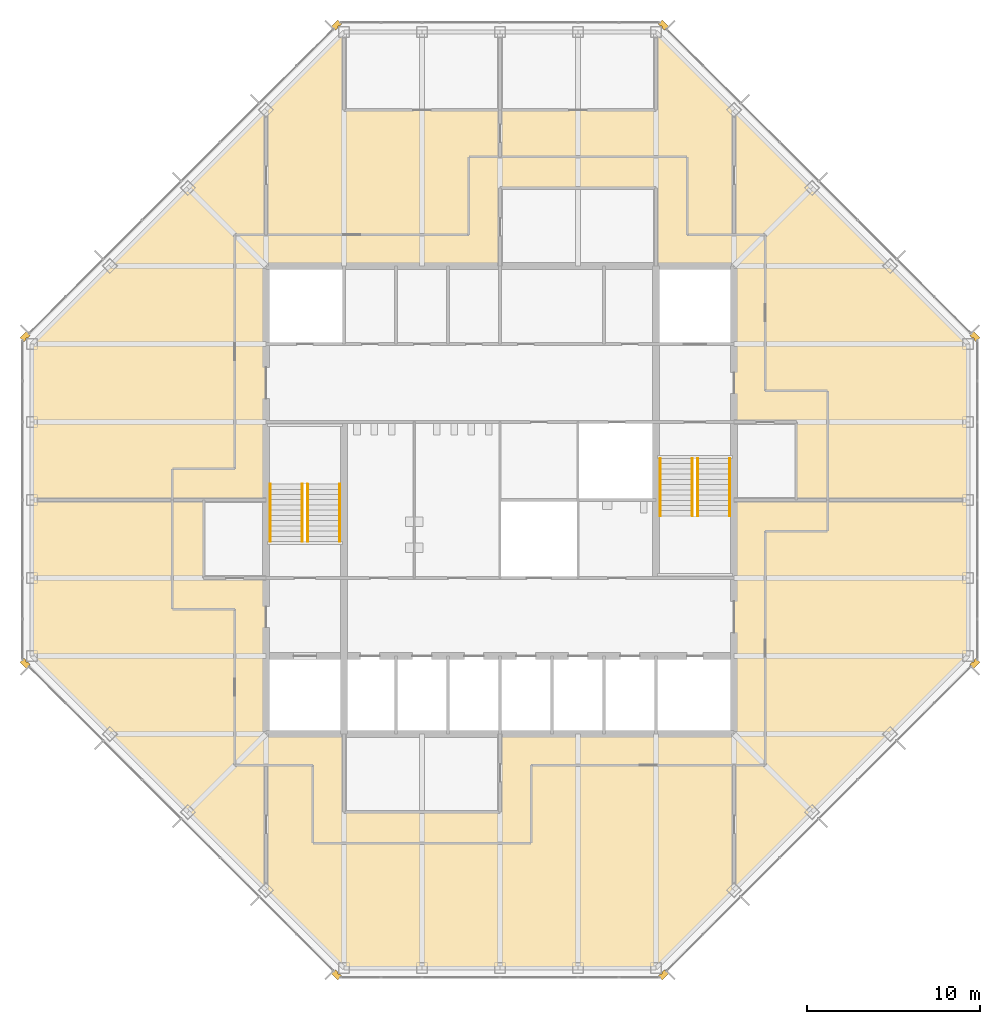
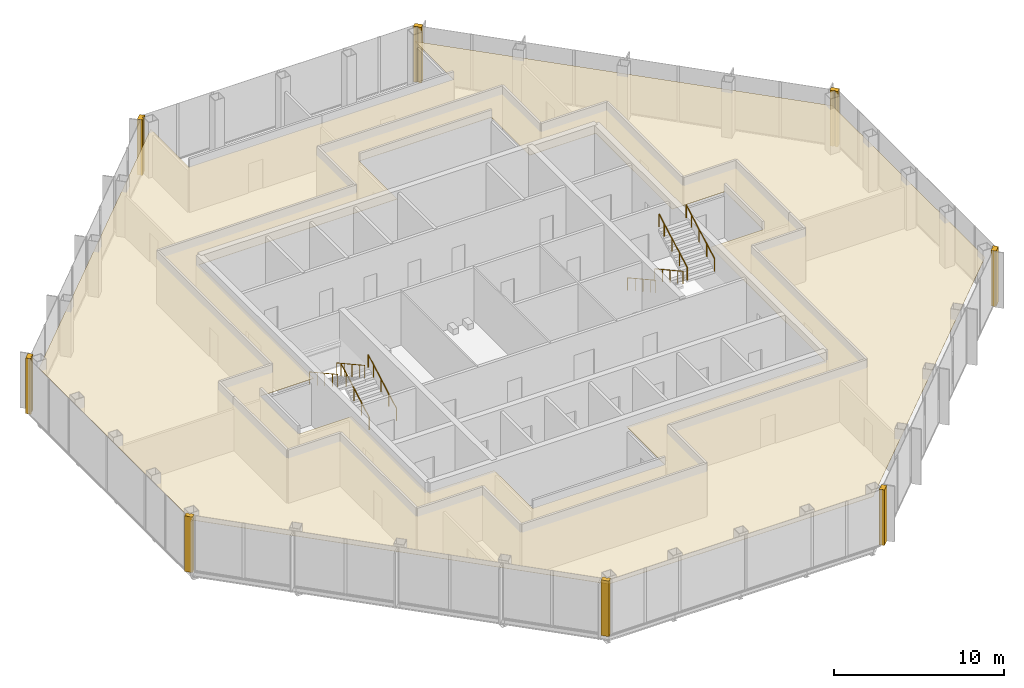
# One storey, part 12 of 13: 9 coverings, 8 railings.
"""IFC4 building model written with IfcOpenShell, lengths in metres."""

from ifc_helpers import new_model, si_unit, direction, frame, origin, origin_2d, place, context, subcontext, project, spatial, polyline, circle, outline, extrude, material, layer, layer_set, type_object, element, save


model = new_model("IFC4")

# Units and contexts
model_context = context("Model", 3, precision=1e-05, world=origin(), true_north=direction((0.0, 1.0)))
body_context = subcontext(model_context, "Body", "Model", "MODEL_VIEW")
ifc_project = project(units=[si_unit("LENGTHUNIT", "METRE"), si_unit("AREAUNIT", "SQUARE_METRE"), si_unit("VOLUMEUNIT", "CUBIC_METRE"), si_unit("PLANEANGLEUNIT", "RADIAN"), si_unit("MASSUNIT", "GRAM", prefix="KILO")], contexts=[model_context])

# Site, building, storey
site_placement = place(None, origin())
site = spatial("IfcSite", under=ifc_project, at=site_placement, CompositionType="ELEMENT")
building_placement = place(site_placement, origin())
building = spatial("IfcBuilding", under=site, at=building_placement, Name="Corais Broadcast Tower", CompositionType="ELEMENT")
storey_placement = place(building_placement, frame((0.0, 0.0, 242.60009765625)))
storey = spatial("IfcBuildingStorey", under=building, at=storey_placement, Name="L56", CompositionType="ELEMENT", Elevation=242.60009765625)

# Railings
ifc_material_1 = material(Name="Stainless steel handrail", Category="steel")
railing_type = type_object("IfcRailingType", Name="Handrail 920", PredefinedType="HANDRAIL", material=ifc_material_1)
for number, where, name in (
    (1, (17.75, 24.60009765625, 0.16650390625), "HR1 L56"),
    (2, (15.89990234375, 24.60009765625, 0.16650390625), "HR1 L56"),
):
    element("IfcRailing", number, at=place(storey_placement, frame(where)), inside=storey, type_object=railing_type, Name=name, PredefinedType="HANDRAIL", context=body_context, shape_type="SweptSolid", body=[
        extrude(circle(Radius=0.02392578125, at=origin_2d()), frame((0.0, 0.0, 0.89599609375), z_axis=(0.0, 0.875504475178, 0.483210010185), x_axis=(-1.0, 0.0, 0.0)), (0.0, 0.0, 1.0), 3.79443359375),
        extrude(circle(Radius=0.02099609375, at=origin_2d()), origin(), (0.0, 0.0, 1.0), 0.871826171875),
        extrude(circle(Radius=0.02099609375, at=origin_2d()), frame((0.0, 0.906005859375, 0.5)), (0.0, 0.0, 1.0), 0.871826171875),
        extrude(circle(Radius=0.02099609375, at=origin_2d()), frame((0.0, 1.81201171875, 1.0)), (0.0, 0.0, 1.0), 0.871826171875),
        extrude(circle(Radius=0.02099609375, at=origin_2d()), frame((0.0, 2.718017578125, 1.500244140625)), (0.0, 0.0, 1.0), 0.871826171875),
        extrude(circle(Radius=0.02099609375, at=origin_2d()), frame((0.0, 3.322021484375, 1.83349609375)), (0.0, 0.0, 1.0), 0.871826171875),
    ])
for number, where, name in (
    (3, (13.75, 27.922119140625, 2.16650390625), "HR1 L56"),
    (4, (15.60009765625, 27.922119140625, 2.16650390625), "HR1 L56"),
    (5, (36.25, 29.39990234375, 0.16650390625), "HR1 L56"),
    (6, (38.10009765625, 29.39990234375, 0.16650390625), "HR1 L56"),
):
    element("IfcRailing", number, at=place(storey_placement, frame(where)), inside=storey, type_object=railing_type, Name=name, PredefinedType="HANDRAIL", context=body_context, shape_type="SweptSolid", body=[
        extrude(circle(Radius=0.02392578125, at=origin_2d()), frame((0.0, 0.0, 0.89599609375), z_axis=(0.0, -0.875504475178, 0.483210010185), x_axis=(1.0, 0.0, 0.0)), (0.0, 0.0, 1.0), 3.79443359375),
        extrude(circle(Radius=0.02099609375, at=origin_2d()), origin(), (0.0, 0.0, 1.0), 0.871826171875),
        extrude(circle(Radius=0.02099609375, at=origin_2d()), frame((0.0, -0.906005859375, 0.5)), (0.0, 0.0, 1.0), 0.871826171875),
        extrude(circle(Radius=0.02099609375, at=origin_2d()), frame((0.0, -1.81201171875, 1.0)), (0.0, 0.0, 1.0), 0.871826171875),
        extrude(circle(Radius=0.02099609375, at=origin_2d()), frame((0.0, -2.718017578125, 1.500244140625)), (0.0, 0.0, 1.0), 0.871826171875),
        extrude(circle(Radius=0.02099609375, at=origin_2d()), frame((0.0, -3.322021484375, 1.83349609375)), (0.0, 0.0, 1.0), 0.871826171875),
    ])
for number, where, name in (
    (7, (40.25, 26.077880859375, 2.16650390625), "HR1 L56"),
    (8, (38.39990234375, 26.077880859375, 2.16650390625), "HR1 L56"),
):
    element("IfcRailing", number, at=place(storey_placement, frame(where)), inside=storey, type_object=railing_type, Name=name, PredefinedType="HANDRAIL", context=body_context, shape_type="SweptSolid", body=[
        extrude(circle(Radius=0.02392578125, at=origin_2d()), frame((0.0, 0.0, 0.89599609375), z_axis=(0.0, 0.875504475178, 0.483210010185), x_axis=(-1.0, 0.0, 0.0)), (0.0, 0.0, 1.0), 3.79443359375),
        extrude(circle(Radius=0.02099609375, at=origin_2d()), origin(), (0.0, 0.0, 1.0), 0.871826171875),
        extrude(circle(Radius=0.02099609375, at=origin_2d()), frame((0.0, 0.906005859375, 0.5)), (0.0, 0.0, 1.0), 0.871826171875),
        extrude(circle(Radius=0.02099609375, at=origin_2d()), frame((0.0, 1.81201171875, 1.0)), (0.0, 0.0, 1.0), 0.871826171875),
        extrude(circle(Radius=0.02099609375, at=origin_2d()), frame((0.0, 2.718017578125, 1.500244140625)), (0.0, 0.0, 1.0), 0.871826171875),
        extrude(circle(Radius=0.02099609375, at=origin_2d()), frame((0.0, 3.322021484375, 1.83349609375)), (0.0, 0.0, 1.0), 0.871826171875),
    ])

# Coverings
ifc_material_2 = material(Name="Granite stone cladding", Category="masonry")
ifc_layer_1 = layer(ifc_material_2, 0.324951171875)
ifc_layer_set_1 = layer_set([ifc_layer_1], Name="Granite stone cladding")
covering_type_1 = type_object("IfcCoveringType", Name="Stone corner pier cladding 500x325", PredefinedType="CLADDING", material=ifc_layer_set_1)
covering_1_placement = place(storey_placement, origin())
element("IfcCovering", 9, at=covering_1_placement, inside=storey, type_object=covering_type_1, Name="SP1 stone corner pier L56", PredefinedType="CLADDING", context=body_context, shape_type="SweptSolid", body=[
    extrude(outline(polyline([(17.860595703125, -0.461669921875), (17.7490234375, -0.35009765625), (17.64990234375, -0.35009765625), (17.64990234375, -0.2509765625), (17.507080078125, -0.108154296875), (17.277099609375, -0.337890625), (17.630859375, -0.69140625), (17.860595703125, -0.461669921875)])), origin(), (0.0, 0.0, 1.0), 4.0),
])
covering_2_placement = place(storey_placement, origin())
element("IfcCovering", 10, at=covering_2_placement, inside=storey, type_object=covering_type_1, Name="SP1 stone corner pier L56", PredefinedType="CLADDING", context=body_context, shape_type="SweptSolid", body=[
    extrude(outline(polyline([(-0.35009765625, 17.7490234375), (-0.461669921875, 17.860595703125), (-0.69140625, 17.630859375), (-0.337890625, 17.277099609375), (-0.108154296875, 17.507080078125), (-0.2509765625, 17.64990234375), (-0.35009765625, 17.64990234375), (-0.35009765625, 17.7490234375)])), origin(), (0.0, 0.0, 1.0), 4.0),
])
covering_3_placement = place(storey_placement, origin())
element("IfcCovering", 11, at=covering_3_placement, inside=storey, type_object=covering_type_1, Name="SP1 stone corner pier L56", PredefinedType="CLADDING", context=body_context, shape_type="SweptSolid", body=[
    extrude(outline(polyline([(-0.461669921875, 36.139404296875), (-0.35009765625, 36.2509765625), (-0.35009765625, 36.35009765625), (-0.2509765625, 36.35009765625), (-0.108154296875, 36.492919921875), (-0.337890625, 36.722900390625), (-0.69140625, 36.369140625), (-0.461669921875, 36.139404296875)])), origin(), (0.0, 0.0, 1.0), 4.0),
])
covering_4_placement = place(storey_placement, origin())
element("IfcCovering", 12, at=covering_4_placement, inside=storey, type_object=covering_type_1, Name="SP1 stone corner pier L56", PredefinedType="CLADDING", context=body_context, shape_type="SweptSolid", body=[
    extrude(outline(polyline([(17.7490234375, 54.35009765625), (17.860595703125, 54.461669921875), (17.630859375, 54.69140625), (17.277099609375, 54.337890625), (17.507080078125, 54.108154296875), (17.64990234375, 54.2509765625), (17.64990234375, 54.35009765625), (17.7490234375, 54.35009765625)])), origin(), (0.0, 0.0, 1.0), 4.0),
])
covering_5_placement = place(storey_placement, origin())
element("IfcCovering", 13, at=covering_5_placement, inside=storey, type_object=covering_type_1, Name="SP1 stone corner pier L56", PredefinedType="CLADDING", context=body_context, shape_type="SweptSolid", body=[
    extrude(outline(polyline([(36.139404296875, 54.461669921875), (36.2509765625, 54.35009765625), (36.35009765625, 54.35009765625), (36.35009765625, 54.2509765625), (36.492919921875, 54.108154296875), (36.722900390625, 54.337890625), (36.369140625, 54.69140625), (36.139404296875, 54.461669921875)])), origin(), (0.0, 0.0, 1.0), 4.0),
])
covering_6_placement = place(storey_placement, origin())
element("IfcCovering", 14, at=covering_6_placement, inside=storey, type_object=covering_type_1, Name="SP1 stone corner pier L56", PredefinedType="CLADDING", context=body_context, shape_type="SweptSolid", body=[
    extrude(outline(polyline([(54.35009765625, 36.2509765625), (54.461669921875, 36.139404296875), (54.69140625, 36.369140625), (54.337890625, 36.722900390625), (54.108154296875, 36.492919921875), (54.2509765625, 36.35009765625), (54.35009765625, 36.35009765625), (54.35009765625, 36.2509765625)])), origin(), (0.0, 0.0, 1.0), 4.0),
])
covering_7_placement = place(storey_placement, origin())
element("IfcCovering", 15, at=covering_7_placement, inside=storey, type_object=covering_type_1, Name="SP1 stone corner pier L56", PredefinedType="CLADDING", context=body_context, shape_type="SweptSolid", body=[
    extrude(outline(polyline([(54.461669921875, 17.860595703125), (54.35009765625, 17.7490234375), (54.35009765625, 17.64990234375), (54.2509765625, 17.64990234375), (54.108154296875, 17.507080078125), (54.337890625, 17.277099609375), (54.69140625, 17.630859375), (54.461669921875, 17.860595703125)])), origin(), (0.0, 0.0, 1.0), 4.0),
])
covering_8_placement = place(storey_placement, origin())
element("IfcCovering", 16, at=covering_8_placement, inside=storey, type_object=covering_type_1, Name="SP1 stone corner pier L56", PredefinedType="CLADDING", context=body_context, shape_type="SweptSolid", body=[
    extrude(outline(polyline([(36.2509765625, -0.35009765625), (36.139404296875, -0.461669921875), (36.369140625, -0.69140625), (36.722900390625, -0.337890625), (36.492919921875, -0.108154296875), (36.35009765625, -0.2509765625), (36.35009765625, -0.35009765625), (36.2509765625, -0.35009765625)])), origin(), (0.0, 0.0, 1.0), 4.0),
])
ifc_material_3 = material(Name="Mineral fibre ceiling tile", Category="mineral")
ifc_layer_2 = layer(ifc_material_3, 0.02001953125)
ifc_layer_set_2 = layer_set([ifc_layer_2], Name="Mineral fibre ceiling tile")
covering_type_2 = type_object("IfcCoveringType", Name="Suspended ceiling", PredefinedType="CEILING", material=ifc_layer_set_2)
covering_9_placement = place(storey_placement, frame((0.0, 0.0, 3.219970703125)))
element("IfcCovering", 17, at=covering_9_placement, inside=storey, type_object=covering_type_2, Name="CE1 ceiling L56", PredefinedType="CEILING", context=body_context, shape_type="SweptSolid", body=[
    extrude(outline(polyline([(13.5, 49.5), (18.0, 54.0), (18.0, 49.5), (36.0, 49.5), (36.0, 54.0), (54.0, 36.0), (54.0, 18.0), (40.500244140625, 4.500244140625), (36.0, 0.0), (18.0, 0.0), (13.501708984375, 4.498291015625), (13.499755859375, 4.500244140625), (0.0, 18.0), (0.0, 36.0), (13.5, 49.5)]), holes=[polyline([(9.89990234375, 22.5), (13.5, 22.5), (13.5, 13.5), (18.0, 13.5), (18.0, 9.0), (27.0, 9.0), (27.0, 13.5), (40.5, 13.5), (40.5, 26.99951171875), (44.10009765625, 26.99951171875), (44.10009765625, 31.5), (40.5, 31.5), (40.5, 40.5), (36.0, 40.5), (36.0, 45.0), (27.0, 45.0), (27.0, 40.5), (13.5, 40.5), (13.5, 27.00048828125), (9.89990234375, 27.00048828125), (9.89990234375, 22.5)])]), origin(), (0.0, 0.0, 1.0), 0.02001953125),
])

save(model, "model.ifc")
